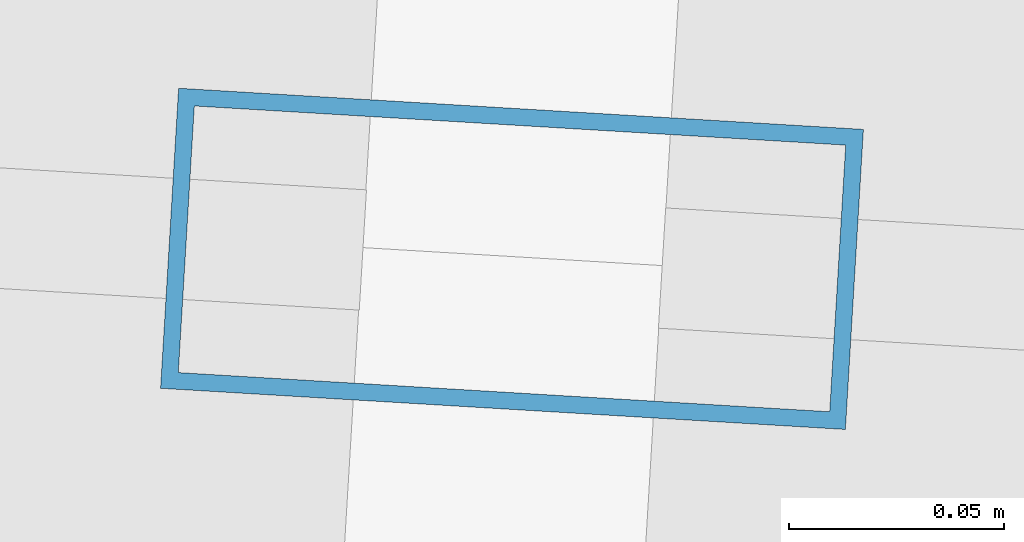
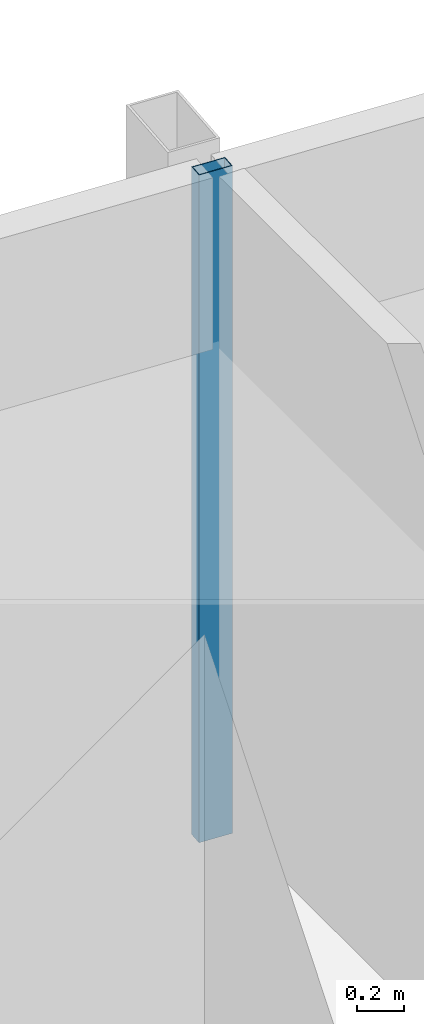
# One storey, part 19 of 40: 1 member, 1 element without a shape of its own.
"""IFC4 building model written with IfcOpenShell, lengths in metres."""

import ifcopenshell
import ifcopenshell.guid

model = None  # the IFC model being written
_history = None  # IfcOwnerHistory: only IFC2X3 demands one
_inside = {}  # id of a spatial element -> (the spatial element, [elements in it])
_under = {}  # id of a project, library or spatial element -> (it, [spatial elements below it])
_declared = {}  # id of a project -> (the project, [libraries it declares])
_typed = {}  # id of a type object -> (the type object, [elements of that type])
_made_of = {}  # id of a material, layer set ... -> (it, [elements and type objects made of it])


def new_model(schema):
    """Start an empty IFC model of exactly this schema.

    Asked for "IFC4X3", IfcOpenShell would pick the latest addendum, in which some entities
    have other attributes; the version numbers below select the first issue.
    IFC2X3 requires an IfcOwnerHistory on every rooted entity: one is made here for all.
    """
    global model, _history
    if schema == "IFC4X3":
        model = ifcopenshell.file(schema_version=(4, 3, 0, 0))
    else:
        model = ifcopenshell.file(schema=schema)
    _inside.clear()
    _under.clear()
    _declared.clear()
    _typed.clear()
    _made_of.clear()
    _history = None
    if model.schema == "IFC2X3":
        org = make("IfcOrganization", Name="unknown")
        user = make(
            "IfcPersonAndOrganization",
            ThePerson=make("IfcPerson", FamilyName="unknown"),
            TheOrganization=org,
        )
        app = make(
            "IfcApplication",
            ApplicationDeveloper=org,
            Version="unknown",
            ApplicationFullName="unknown",
            ApplicationIdentifier="unknown",
        )
        _history = make(
            "IfcOwnerHistory",
            OwningUser=user,
            OwningApplication=app,
            ChangeAction="ADDED",
            CreationDate=0,
        )
    return model


def make(cls, **values):
    """One entity of the class cls with the attributes given. An attribute that is None is left unset."""
    return model.create_entity(
        cls, **{name: value for name, value in values.items() if value is not None}
    )


def rooted(cls, **values):
    """An entity with a GlobalId (a new one), such as an element, a storey or a relation."""
    return make(cls, GlobalId=ifcopenshell.guid.new(), OwnerHistory=_history, **values)


def si_unit(unit_type, name, prefix=None):
    """IfcSIUnit, for example si_unit("LENGTHUNIT", "METRE", prefix="MILLI")."""
    return make("IfcSIUnit", UnitType=unit_type, Prefix=prefix, Name=name)


def assignment(units):
    """IfcUnitAssignment: the units of a project."""
    return None if units is None else make("IfcUnitAssignment", Units=units)


def point(xyz):
    """IfcCartesianPoint."""
    return None if xyz is None else make("IfcCartesianPoint", Coordinates=xyz)


def direction(xyz):
    """IfcDirection."""
    return None if xyz is None else make("IfcDirection", DirectionRatios=xyz)


def frame(location, z_axis=None, x_axis=None):
    """IfcAxis2Placement3D, a coordinate frame: its origin and axes. An axis left out is left unset."""
    return make(
        "IfcAxis2Placement3D",
        Location=point(location),
        Axis=direction(z_axis),
        RefDirection=direction(x_axis),
    )


def frame_2d(location, x_axis=None):
    """IfcAxis2Placement2D, a coordinate frame in the plane: its origin and x axis."""
    return make(
        "IfcAxis2Placement2D", Location=point(location), RefDirection=direction(x_axis)
    )


def origin():
    """The frame at (0, 0, 0) with its axes left unset."""
    return frame((0.0, 0.0, 0.0))


def origin_2d():
    """The frame at (0, 0) in the plane with its x axis left unset."""
    return frame_2d((0.0, 0.0))


def place(relative_to, where):
    """IfcLocalPlacement: puts the frame where relative to a parent placement (None: the world)."""
    return make(
        "IfcLocalPlacement", PlacementRelTo=relative_to, RelativePlacement=where
    )


def context(
    kind, dimensions, precision=None, world=None, true_north=None, identifier=None
):
    """IfcGeometricRepresentationContext, for example the 3D "Model" context."""
    return make(
        "IfcGeometricRepresentationContext",
        ContextIdentifier=identifier,
        ContextType=kind,
        CoordinateSpaceDimension=dimensions,
        Precision=precision,
        WorldCoordinateSystem=world,
        TrueNorth=true_north,
    )


def subcontext(parent, identifier, kind, view, scale=None):
    """IfcGeometricRepresentationSubContext, for example "Body" below "Model"."""
    return make(
        "IfcGeometricRepresentationSubContext",
        ContextIdentifier=identifier,
        ContextType=kind,
        ParentContext=parent,
        TargetScale=scale,
        TargetView=view,
    )


def project(units=None, contexts=None):
    """IfcProject with its units and contexts."""
    return rooted(
        "IfcProject",
        Name="project",
        RepresentationContexts=contexts,
        UnitsInContext=assignment(units),
    )


def spatial(cls, under=None, at=None, **own):
    """A site, building, storey or space (cls), placed at a placement, below another one or the project."""
    s = rooted(cls, ObjectPlacement=at, **own)
    if under is not None:
        _under.setdefault(under.id(), (under, []))[1].append(s)
    return s


def profile(cls, at=None, kind="AREA", **sizes):
    """A parametric profile (cls). Its sizes go by their IFC names, for example OverallWidth=200.0."""
    return make(cls, ProfileType=kind, Position=at, **sizes)


def hollow_rectangle(**sizes):
    """IfcRectangleHollowProfileDef."""
    return profile("IfcRectangleHollowProfileDef", **sizes)


def extrude(swept, where, along, depth):
    """IfcExtrudedAreaSolid: the profile swept, set in the frame where, extruded along a direction by depth."""
    return make(
        "IfcExtrudedAreaSolid",
        SweptArea=swept,
        Position=where,
        ExtrudedDirection=direction(along),
        Depth=depth,
    )


def shape(context_of_items, identifier, shape_type, items):
    """IfcShapeRepresentation: the items that make up one representation, for example the "Body"."""
    return make(
        "IfcShapeRepresentation",
        ContextOfItems=context_of_items,
        RepresentationIdentifier=identifier,
        RepresentationType=shape_type,
        Items=items,
    )


def material(Name=None, Category=None):
    """IfcMaterial."""
    return make("IfcMaterial", Name=Name, Category=Category)


def material_profile(
    of_material, cross_section, Name=None, Category=None, Priority=None
):
    """IfcMaterialProfile: a cross section and its material."""
    return make(
        "IfcMaterialProfile",
        Name=Name,
        Material=of_material,
        Profile=cross_section,
        Priority=Priority,
        Category=Category,
    )


def profile_set(profiles, Name=None, composite=None):
    """IfcMaterialProfileSet."""
    return make(
        "IfcMaterialProfileSet",
        Name=Name,
        MaterialProfiles=profiles,
        CompositeProfile=composite,
    )


def made_of(thing, what):
    """Note that an element or type object is made of a material, layer set ...; save() writes the relation."""
    if what is not None:
        _made_of.setdefault(what.id(), (what, []))[1].append(thing)
    return thing


def type_object(cls, material=None, **own):
    """A type object (cls), such as IfcWallType, which elements share."""
    return made_of(rooted(cls, **own), material)


def element(
    cls,
    number,
    at=None,
    inside=None,
    cuts=None,
    type_object=None,
    material=None,
    context=None,
    identifier="Body",
    shape_type=None,
    held_by="IfcProductDefinitionShape",
    body=None,
    shapes=None,
    **own,
):
    """One element of the class cls, such as IfcWall. Its Tag is "e" and its number.

    at: its placement. inside: the storey or other place that contains it. cuts: it is an
    opening in that element (IfcRelVoidsElement). A single representation is given by context,
    identifier, shape_type and body (its items); several are given by shapes. held_by: the class
    of the entity that holds the representations. save() writes the other relations.
    """
    e = rooted(cls, Tag="e%d" % number, ObjectPlacement=at, **own)
    if body is not None:
        shapes = [shape(context, identifier, shape_type, body)]
    if shapes is not None:
        e.Representation = make(held_by, Representations=shapes)
    if inside is not None:
        _inside.setdefault(inside.id(), (inside, []))[1].append(e)
    if cuts is not None:
        rooted(
            "IfcRelVoidsElement", RelatingBuildingElement=cuts, RelatedOpeningElement=e
        )
    if type_object is not None:
        _typed.setdefault(type_object.id(), (type_object, []))[1].append(e)
    return made_of(e, material)


def aggregate(whole, parts):
    """IfcRelAggregates: a whole, such as a stair, and the parts it consists of."""
    return rooted("IfcRelAggregates", RelatingObject=whole, RelatedObjects=parts)


def save(model, path):
    """Write the relations noted so far, then the file.

    IfcRelAggregates (storeys below a building ...), IfcRelContainedInSpatialStructure (elements
    in a storey), IfcRelDefinesByType, IfcRelAssociatesMaterial and IfcRelDeclares: one each for
    every whole, place, type object, material and project.
    """
    for whole, parts in _under.values():
        aggregate(whole, parts)
    for where, things in _inside.values():
        rooted(
            "IfcRelContainedInSpatialStructure",
            RelatedElements=things,
            RelatingStructure=where,
        )
    for kind, things in _typed.values():
        rooted("IfcRelDefinesByType", RelatedObjects=things, RelatingType=kind)
    for what, things in _made_of.values():
        rooted("IfcRelAssociatesMaterial", RelatedObjects=things, RelatingMaterial=what)
    for by, libraries in _declared.values():
        rooted("IfcRelDeclares", RelatingContext=by, RelatedDefinitions=libraries)
    model.write(path)


model = new_model("IFC4")

# Units and contexts
model_context = context("Model", 3, precision=1e-05, world=origin(), true_north=direction((0.0, 1.0)))
body_context = subcontext(model_context, "Body", "Model", "MODEL_VIEW")
ifc_project = project(units=[si_unit("LENGTHUNIT", "METRE"), si_unit("AREAUNIT", "SQUARE_METRE"), si_unit("VOLUMEUNIT", "CUBIC_METRE"), si_unit("PLANEANGLEUNIT", "RADIAN"), si_unit("MASSUNIT", "GRAM", prefix="KILO")], contexts=[model_context])

# Site, building, storey
site_placement = place(None, origin())
site = spatial("IfcSite", under=ifc_project, at=site_placement, CompositionType="ELEMENT")
building_placement = place(site_placement, origin())
building = spatial("IfcBuilding", under=site, at=building_placement, Name="Rekha Terrace Tower", CompositionType="ELEMENT")
storey_placement = place(building_placement, frame((0.0, 0.0, 99.050048828125)))
storey = spatial("IfcBuildingStorey", under=building, at=storey_placement, Name="L24", CompositionType="ELEMENT", Elevation=99.050048828125)

# Curtain wall, member
ifc_material_1 = material(Name="Aluminium framing", Category="aluminium")
curtain_wall_type = type_object("IfcCurtainWallType", Name="CW3 north unitised glazing", PredefinedType="USERDEFINED", material=ifc_material_1)
curtain_wall_placement = place(storey_placement, origin())
curtain_wall = element("IfcCurtainWall", 1, at=curtain_wall_placement, inside=storey, type_object=curtain_wall_type, Name="CW3 unitised curtain wall", ObjectType="UNITISED CURTAIN WALL", PredefinedType="USERDEFINED")
ifc_material_2 = material(Name="Aluminium mullion section", Category="aluminium")
ifc_material_profile = material_profile(ifc_material_2, hollow_rectangle(XDim=0.070068359375, YDim=0.159912109375, WallThickness=0.00390625, at=origin_2d()), Name="AL RHS 70x160")
ifc_profile_set = profile_set([ifc_material_profile], Name="Aluminium mullion section")
member_type = type_object("IfcMemberType", Name="CW3 mullion RHS 70 x 160", PredefinedType="MULLION", material=ifc_profile_set)
member_placement = place(storey_placement, frame((52.299560546875, 61.4033203125, 0.0), z_axis=(0.0, 0.0, 1.0), x_axis=(-0.059987926837, -0.998199102701, 0.0)))
member = element("IfcMember", 2, at=member_placement, type_object=member_type, Name="CW3 mullion 3", PredefinedType="MULLION", context=body_context, shape_type="SweptSolid", body=[
    extrude(hollow_rectangle(XDim=0.070068359375, YDim=0.159912109375, WallThickness=0.00390625, at=origin_2d()), origin(), (0.0, 0.0, 1.0), 3.5),
])
aggregate(curtain_wall, [member])

save(model, "model.ifc")
